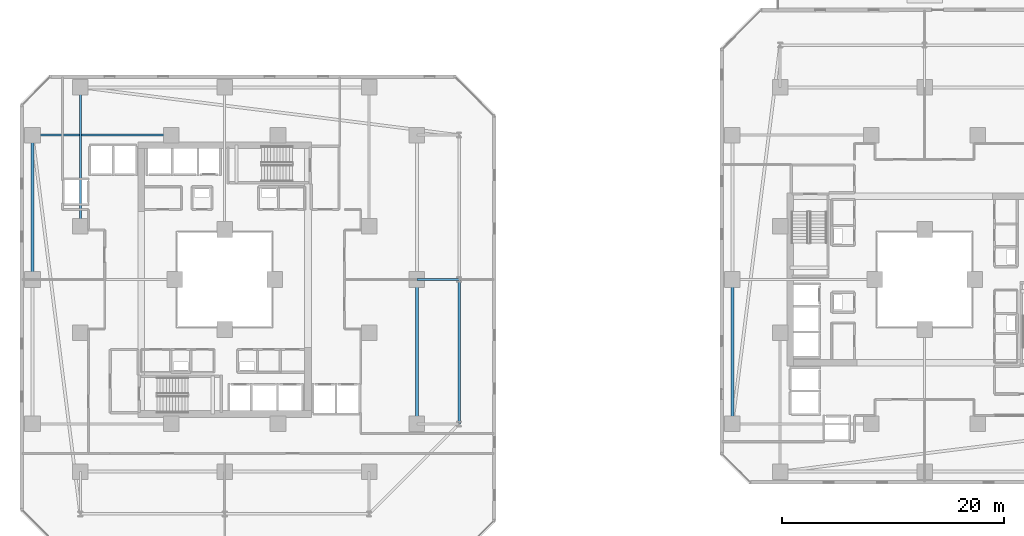
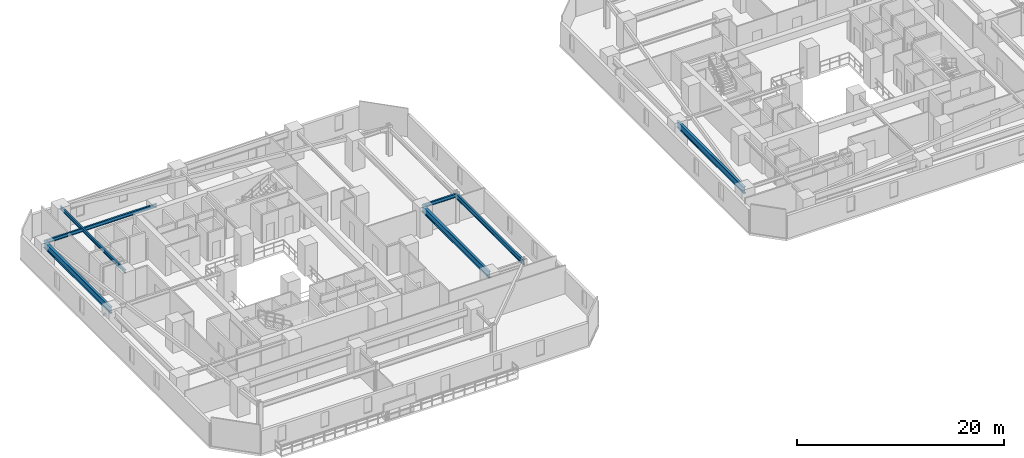
# One storey, part 7 of 34: 7 beams.
"""IFC4 building model written with IfcOpenShell, lengths in metres."""

from ifc_helpers import new_model, si_unit, direction, frame, origin, origin_2d, place, context, subcontext, project, spatial, i_section, extrude, material, material_profile, profile_set, type_object, element, save


model = new_model("IFC4")

# Units and contexts
model_context = context("Model", 3, precision=1e-05, world=origin(), true_north=direction((0.0, 1.0)))
body_context = subcontext(model_context, "Body", "Model", "MODEL_VIEW")
ifc_project = project(units=[si_unit("LENGTHUNIT", "METRE"), si_unit("AREAUNIT", "SQUARE_METRE"), si_unit("VOLUMEUNIT", "CUBIC_METRE"), si_unit("PLANEANGLEUNIT", "RADIAN"), si_unit("MASSUNIT", "GRAM", prefix="KILO")], contexts=[model_context])

# Site, building, storey
site_placement = place(None, origin())
site = spatial("IfcSite", under=ifc_project, at=site_placement, CompositionType="ELEMENT")
building_placement = place(site_placement, origin())
building = spatial("IfcBuilding", under=site, at=building_placement, Name="Thornwick Lancets Civic Towers", CompositionType="ELEMENT")
storey_placement = place(building_placement, frame((0.0, 0.0, 57.300048828125)))
storey = spatial("IfcBuildingStorey", under=building, at=storey_placement, Name="L14", CompositionType="ELEMENT", Elevation=57.300048828125)

# Beams
ifc_material = material(Name="Steel S355JR", Category="steel")
ifc_material_profile_1 = material_profile(ifc_material, i_section(OverallWidth=0.2119140625, OverallDepth=0.54443359375, WebThickness=0.0126953125, FlangeThickness=0.021240234375, FilletRadius=0.0126953125, at=origin_2d()), Name="UKB 533x210x122")
ifc_profile_set_1 = profile_set([ifc_material_profile_1], Name="Steel S355JR")
beam_type_1 = type_object("IfcBeamType", Name="BM_EDGE_533_122", PredefinedType="SPANDREL", material=ifc_profile_set_1)
beam_1_placement = place(storey_placement, frame((46.60009765625, 14.0, 3.087646484375), z_axis=(0.0, 1.0, 0.0), x_axis=(-1.0, 0.0, 0.0)))
element("IfcBeam", 1, at=beam_1_placement, inside=storey, type_object=beam_type_1, Name="BM-EDGE-L14-A-S1-1", PredefinedType="SPANDREL", context=body_context, shape_type="SweptSolid", body=[
    extrude(i_section(OverallWidth=0.2119140625, OverallDepth=0.54443359375, WebThickness=0.0126953125, FlangeThickness=0.021240234375, FilletRadius=0.0126953125, at=origin_2d()), origin(), (0.0, 0.0, 1.0), 13.0),
])
ifc_material_profile_2 = material_profile(ifc_material, i_section(OverallWidth=0.26806640625, OverallDepth=0.769775390625, WebThickness=0.015625, FlangeThickness=0.025390625, FilletRadius=0.0166015625, at=origin_2d()), Name="UKB 762x267x197")
ifc_profile_set_2 = profile_set([ifc_material_profile_2], Name="Steel S355JR")
beam_type_2 = type_object("IfcBeamType", Name="BM_GIRD_762_197", PredefinedType="BEAM", material=ifc_profile_set_2)
beam_2_placement = place(storey_placement, frame((42.800048828125, 14.0, 2.97509765625), z_axis=(0.0, 1.0, 0.0), x_axis=(-1.0, 0.0, 0.0)))
element("IfcBeam", 2, at=beam_2_placement, inside=storey, type_object=beam_type_2, Name="BM-SPINE-L14-A-3-4", PredefinedType="BEAM", context=body_context, shape_type="SweptSolid", body=[
    extrude(i_section(OverallWidth=0.26806640625, OverallDepth=0.769775390625, WebThickness=0.015625, FlangeThickness=0.025390625, FilletRadius=0.0166015625, at=origin_2d()), origin(), (0.0, 0.0, 1.0), 13.0),
])
beam_3_placement = place(storey_placement, frame((8.199951171875, 27.080078125, 2.97509765625), z_axis=(0.0, 1.0, 0.0), x_axis=(-1.0, 0.0, 0.0)))
element("IfcBeam", 3, at=beam_3_placement, inside=storey, type_object=beam_type_2, Name="BM-SPINE-L14-A-10-11", PredefinedType="BEAM", context=body_context, shape_type="SweptSolid", body=[
    extrude(i_section(OverallWidth=0.26806640625, OverallDepth=0.769775390625, WebThickness=0.015625, FlangeThickness=0.025390625, FilletRadius=0.0166015625, at=origin_2d()), origin(), (0.0, 0.0, 1.0), 12.919921875),
])
beam_4_placement = place(storey_placement, frame((71.199951171875, 14.0, 2.97509765625), z_axis=(0.0, 1.0, 0.0), x_axis=(-1.0, 0.0, 0.0)))
element("IfcBeam", 4, at=beam_4_placement, inside=storey, type_object=beam_type_2, Name="BM-SPINE-L14-B-6-7", PredefinedType="BEAM", context=body_context, shape_type="SweptSolid", body=[
    extrude(i_section(OverallWidth=0.26806640625, OverallDepth=0.769775390625, WebThickness=0.015625, FlangeThickness=0.025390625, FilletRadius=0.0166015625, at=origin_2d()), origin(), (0.0, 0.0, 1.0), 13.0),
])
ifc_material_profile_3 = material_profile(ifc_material, i_section(OverallWidth=0.179443359375, OverallDepth=0.412841796875, WebThickness=0.009521484375, FlangeThickness=0.01611328125, FilletRadius=0.01025390625, at=origin_2d()), Name="UKB 406x178x74")
ifc_profile_set_3 = profile_set([ifc_material_profile_3], Name="Steel S355JR")
beam_type_3 = type_object("IfcBeamType", Name="BM_JOIST_406_74", PredefinedType="JOIST", material=ifc_profile_set_3)
beam_5_placement = place(storey_placement, frame((42.800048828125, 27.0, 3.153564453125), z_axis=(1.0, 0.0, 0.0), x_axis=(0.0, 1.0, 0.0)))
element("IfcBeam", 5, at=beam_5_placement, inside=storey, type_object=beam_type_3, Name="BM-RAD-L14-A05", PredefinedType="JOIST", context=body_context, shape_type="SweptSolid", body=[
    extrude(i_section(OverallWidth=0.179443359375, OverallDepth=0.412841796875, WebThickness=0.009521484375, FlangeThickness=0.01611328125, FilletRadius=0.01025390625, at=origin_2d()), origin(), (0.0, 0.0, 1.0), 3.800048828125),
])
for number, where, z_axis, x_axis, name in (
    (6, (12.5, 31.800048828125, 3.153564453125), (0.0, 1.0, 0.0), (-1.0, 0.0, 0.0), "BM-RADIN-L14-A07"),
    (7, (20.699951171875, 40.0, 3.153564453125), (-1.0, 0.0, 0.0), (0.0, -1.0, 0.0), "BM-RADIN-L14-A12"),
):
    element("IfcBeam", number, at=place(storey_placement, frame(where, z_axis=z_axis, x_axis=x_axis)), inside=storey, type_object=beam_type_3, Name=name, PredefinedType="JOIST", context=body_context, shape_type="SweptSolid", body=[
        extrude(i_section(OverallWidth=0.179443359375, OverallDepth=0.412841796875, WebThickness=0.009521484375, FlangeThickness=0.01611328125, FilletRadius=0.01025390625, at=origin_2d()), origin(), (0.0, 0.0, 1.0), 12.5),
    ])

save(model, "model.ifc")
